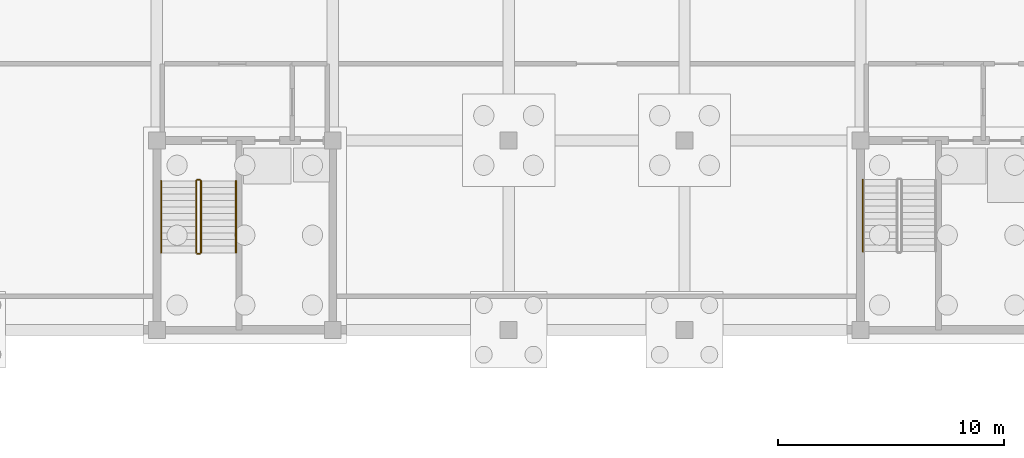
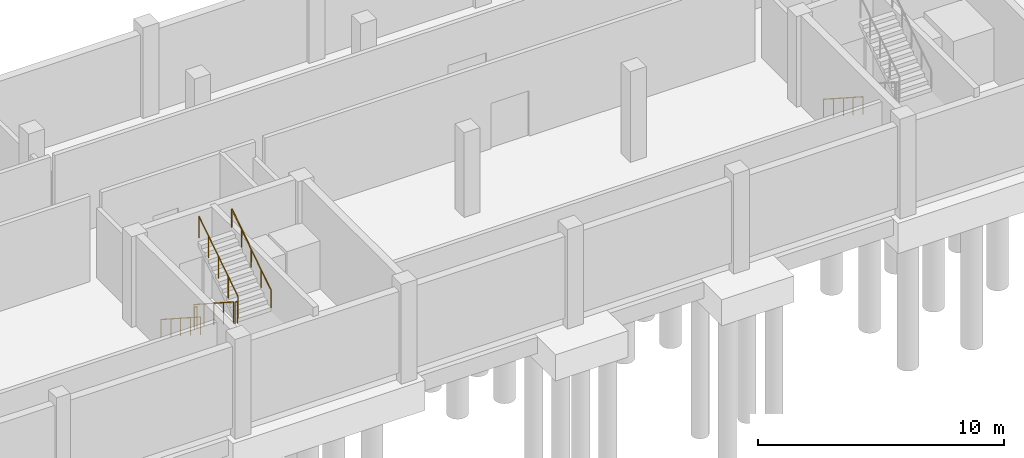
# One storey, part 20 of 22: 7 railings.
"""IFC4 building model written with IfcOpenShell, lengths in metres."""

from ifc_helpers import new_model, si_unit, direction, frame, origin, origin_2d, place, context, subcontext, project, spatial, circle, extrude, material, type_object, element, save


model = new_model("IFC4")

# Units and contexts
model_context = context("Model", 3, precision=1e-05, world=origin(), true_north=direction((0.0, 1.0)))
body_context = subcontext(model_context, "Body", "Model", "MODEL_VIEW")
ifc_project = project(units=[si_unit("LENGTHUNIT", "METRE"), si_unit("AREAUNIT", "SQUARE_METRE"), si_unit("VOLUMEUNIT", "CUBIC_METRE"), si_unit("PLANEANGLEUNIT", "RADIAN"), si_unit("MASSUNIT", "GRAM", prefix="KILO")], contexts=[model_context])

# Site, building, storey
site_placement = place(None, origin())
site = spatial("IfcSite", under=ifc_project, at=site_placement, CompositionType="ELEMENT")
building_placement = place(site_placement, origin())
building = spatial("IfcBuilding", under=site, at=building_placement, Name="Vharandega Faculty of Natural Sciences", CompositionType="ELEMENT")
storey_placement = place(building_placement, frame((0.0, 0.0, -4.5)))
storey = spatial("IfcBuildingStorey", under=building, at=storey_placement, Name="B01", CompositionType="ELEMENT", Elevation=-4.5)

# Railings
ifc_material_1 = material(Name="Brushed stainless steel handrail", Category="steel")
railing_type_1 = type_object("IfcRailingType", Name="Stair Tubular Handrail 900", PredefinedType="HANDRAIL", material=ifc_material_1)
railing_1_placement = place(storey_placement, frame((114.989990234375, 70.610107421875, 0.1875)))
element("IfcRailing", 1, at=railing_1_placement, inside=storey, type_object=railing_type_1, Name="B01 ST1 stair handrail 1", PredefinedType="HANDRAIL", context=body_context, shape_type="SweptSolid", body=[
    extrude(circle(Radius=0.02392578125, at=origin_2d()), frame((0.0, 0.0, 0.8759765625), z_axis=(0.0, -0.839778728322, 0.542928805147), x_axis=(1.0, 0.0, 0.0)), (0.0, 0.0, 1.0), 3.798828125),
    extrude(circle(Radius=0.02099609375, at=origin_2d()), origin(), (0.0, 0.0, 1.0), 0.851806640625),
    extrude(circle(Radius=0.02099609375, at=origin_2d()), frame((0.0, -0.797607421875, 0.515625)), (0.0, 0.0, 1.0), 0.851806640625),
    extrude(circle(Radius=0.02099609375, at=origin_2d()), frame((0.0, -1.59521484375, 1.03125)), (0.0, 0.0, 1.0), 0.851806640625),
    extrude(circle(Radius=0.02099609375, at=origin_2d()), frame((0.0, -2.392578125, 1.546875)), (0.0, 0.0, 1.0), 0.851806640625),
    extrude(circle(Radius=0.02099609375, at=origin_2d()), frame((0.0, -3.190185546875, 2.0625)), (0.0, 0.0, 1.0), 0.851806640625),
])
railing_2_placement = place(storey_placement, frame((118.31005859375, 67.419921875, 2.4375)))
element("IfcRailing", 2, at=railing_2_placement, inside=storey, type_object=railing_type_1, Name="B01 ST1 stair handrail 2", PredefinedType="HANDRAIL", context=body_context, shape_type="SweptSolid", body=[
    extrude(circle(Radius=0.02392578125, at=origin_2d()), frame((0.0, 0.0, 0.8759765625), z_axis=(0.0, 0.839778728322, 0.542928805147), x_axis=(-1.0, 0.0, 0.0)), (0.0, 0.0, 1.0), 3.798828125),
    extrude(circle(Radius=0.02099609375, at=origin_2d()), origin(), (0.0, 0.0, 1.0), 0.851806640625),
    extrude(circle(Radius=0.02099609375, at=origin_2d()), frame((0.0, 0.797607421875, 0.515625)), (0.0, 0.0, 1.0), 0.851806640625),
    extrude(circle(Radius=0.02099609375, at=origin_2d()), frame((0.0, 1.59521484375, 1.03125)), (0.0, 0.0, 1.0), 0.851806640625),
    extrude(circle(Radius=0.02099609375, at=origin_2d()), frame((0.0, 2.392578125, 1.546875)), (0.0, 0.0, 1.0), 0.851806640625),
    extrude(circle(Radius=0.02099609375, at=origin_2d()), frame((0.0, 3.190185546875, 2.0625)), (0.0, 0.0, 1.0), 0.851806640625),
])
railing_3_placement = place(storey_placement, frame((146.110107421875, 70.659912109375, 0.1875)))
element("IfcRailing", 3, at=railing_3_placement, inside=storey, type_object=railing_type_1, Name="B01 ST2 stair handrail 1", PredefinedType="HANDRAIL", context=body_context, shape_type="SweptSolid", body=[
    extrude(circle(Radius=0.02392578125, at=origin_2d()), frame((0.0, 0.0, 0.8759765625), z_axis=(0.0, -0.839759782654, 0.542958108362), x_axis=(1.0, 0.0, 0.0)), (0.0, 0.0, 1.0), 3.798583984375),
    extrude(circle(Radius=0.02099609375, at=origin_2d()), origin(), (0.0, 0.0, 1.0), 0.851806640625),
    extrude(circle(Radius=0.02099609375, at=origin_2d()), frame((0.0, -0.79736328125, 0.515625)), (0.0, 0.0, 1.0), 0.851806640625),
    extrude(circle(Radius=0.02099609375, at=origin_2d()), frame((0.0, -1.594970703125, 1.03125)), (0.0, 0.0, 1.0), 0.851806640625),
    extrude(circle(Radius=0.02099609375, at=origin_2d()), frame((0.0, -2.392578125, 1.546875)), (0.0, 0.0, 1.0), 0.851806640625),
    extrude(circle(Radius=0.02099609375, at=origin_2d()), frame((0.0, -3.18994140625, 2.0625)), (0.0, 0.0, 1.0), 0.851806640625),
])
ifc_material_2 = material(Name="Painted steel stair guardrail", Category="steel")
railing_type_2 = type_object("IfcRailingType", Name="Stairwell Steel Guardrail 1100", PredefinedType="GUARDRAIL", material=ifc_material_2)
railing_4_placement = place(storey_placement, frame((116.5400390625, 70.610107421875, 0.1875)))
element("IfcRailing", 4, at=railing_4_placement, inside=storey, type_object=railing_type_2, Name="B01 ST1 stair guard 1", PredefinedType="GUARDRAIL", context=body_context, shape_type="SweptSolid", body=[
    extrude(circle(Radius=0.02392578125, at=origin_2d()), frame((0.0, 0.0, 1.076171875), z_axis=(0.0, -0.839778728322, 0.542928805147), x_axis=(1.0, 0.0, 0.0)), (0.0, 0.0, 1.0), 3.798828125),
    extrude(circle(Radius=0.02099609375, at=origin_2d()), origin(), (0.0, 0.0, 1.0), 1.052001953125),
    extrude(circle(Radius=0.02099609375, at=origin_2d()), frame((0.0, -0.797607421875, 0.515625)), (0.0, 0.0, 1.0), 1.052001953125),
    extrude(circle(Radius=0.02099609375, at=origin_2d()), frame((0.0, -1.59521484375, 1.03125)), (0.0, 0.0, 1.0), 1.052001953125),
    extrude(circle(Radius=0.02099609375, at=origin_2d()), frame((0.0, -2.392578125, 1.546875)), (0.0, 0.0, 1.0), 1.052001953125),
    extrude(circle(Radius=0.02099609375, at=origin_2d()), frame((0.0, -3.190185546875, 2.0625)), (0.0, 0.0, 1.0), 1.052001953125),
])
railing_5_placement = place(storey_placement, frame((116.590087890625, 67.3701171875, 2.25)))
element("IfcRailing", 5, at=railing_5_placement, inside=storey, type_object=railing_type_2, Name="B01 ST1 stair guard 2", PredefinedType="GUARDRAIL", context=body_context, shape_type="SweptSolid", body=[
    extrude(circle(Radius=0.02392578125, at=origin_2d()), frame((0.0, 0.0, 1.076171875), z_axis=(1.0, 0.0, 0.0), x_axis=(0.0, 1.0, 0.0)), (0.0, 0.0, 1.0), 0.119873046875),
    extrude(circle(Radius=0.02099609375, at=origin_2d()), origin(), (0.0, 0.0, 1.0), 1.052001953125),
    extrude(circle(Radius=0.02099609375, at=origin_2d()), frame((0.119873046875, 0.0, 0.0)), (0.0, 0.0, 1.0), 1.052001953125),
])
railing_6_placement = place(storey_placement, frame((116.760009765625, 67.419921875, 2.4375)))
element("IfcRailing", 6, at=railing_6_placement, inside=storey, type_object=railing_type_2, Name="B01 ST1 stair guard 3", PredefinedType="GUARDRAIL", context=body_context, shape_type="SweptSolid", body=[
    extrude(circle(Radius=0.02392578125, at=origin_2d()), frame((0.0, 0.0, 1.076171875), z_axis=(0.0, 0.839778728322, 0.542928805147), x_axis=(-1.0, 0.0, 0.0)), (0.0, 0.0, 1.0), 3.798828125),
    extrude(circle(Radius=0.02099609375, at=origin_2d()), origin(), (0.0, 0.0, 1.0), 1.052001953125),
    extrude(circle(Radius=0.02099609375, at=origin_2d()), frame((0.0, 0.797607421875, 0.515625)), (0.0, 0.0, 1.0), 1.052001953125),
    extrude(circle(Radius=0.02099609375, at=origin_2d()), frame((0.0, 1.59521484375, 1.03125)), (0.0, 0.0, 1.0), 1.052001953125),
    extrude(circle(Radius=0.02099609375, at=origin_2d()), frame((0.0, 2.392578125, 1.546875)), (0.0, 0.0, 1.0), 1.052001953125),
    extrude(circle(Radius=0.02099609375, at=origin_2d()), frame((0.0, 3.190185546875, 2.0625)), (0.0, 0.0, 1.0), 1.052001953125),
])
railing_7_placement = place(storey_placement, frame((116.590087890625, 70.659912109375, 0.0)))
element("IfcRailing", 7, at=railing_7_placement, inside=storey, type_object=railing_type_2, Name="B01 ST1 stair guard 4", PredefinedType="GUARDRAIL", context=body_context, shape_type="SweptSolid", body=[
    extrude(circle(Radius=0.02392578125, at=origin_2d()), frame((0.0, 0.0, 1.076171875), z_axis=(1.0, 0.0, 0.0), x_axis=(0.0, 1.0, 0.0)), (0.0, 0.0, 1.0), 0.119873046875),
    extrude(circle(Radius=0.02099609375, at=origin_2d()), origin(), (0.0, 0.0, 1.0), 1.052001953125),
    extrude(circle(Radius=0.02099609375, at=origin_2d()), frame((0.119873046875, 0.0, 0.0)), (0.0, 0.0, 1.0), 1.052001953125),
])

save(model, "model.ifc")
